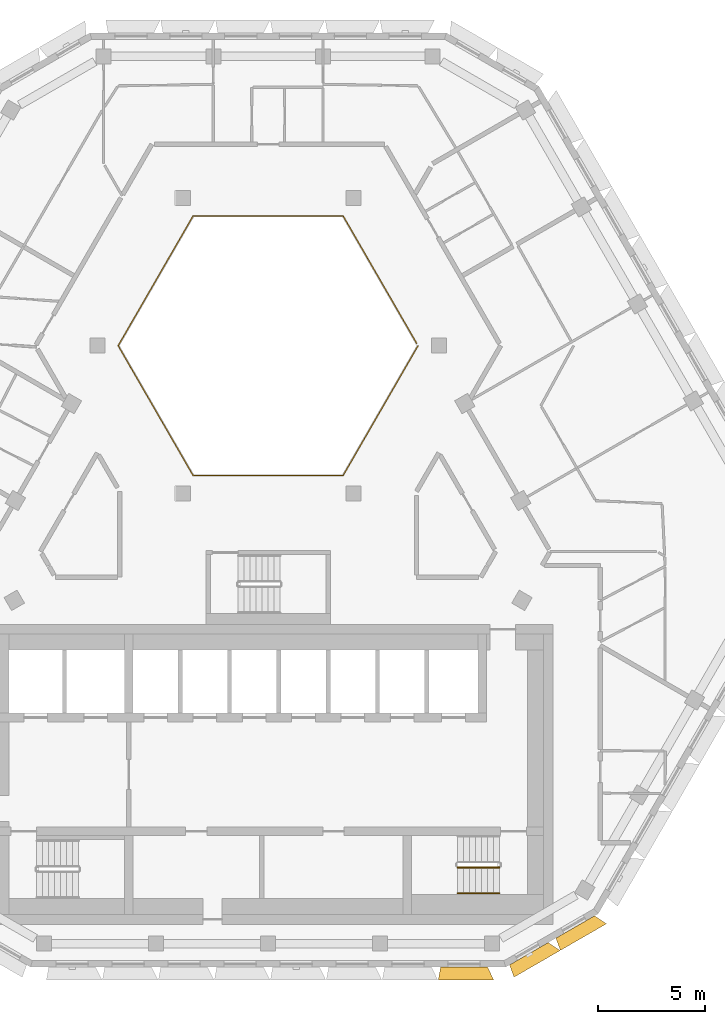
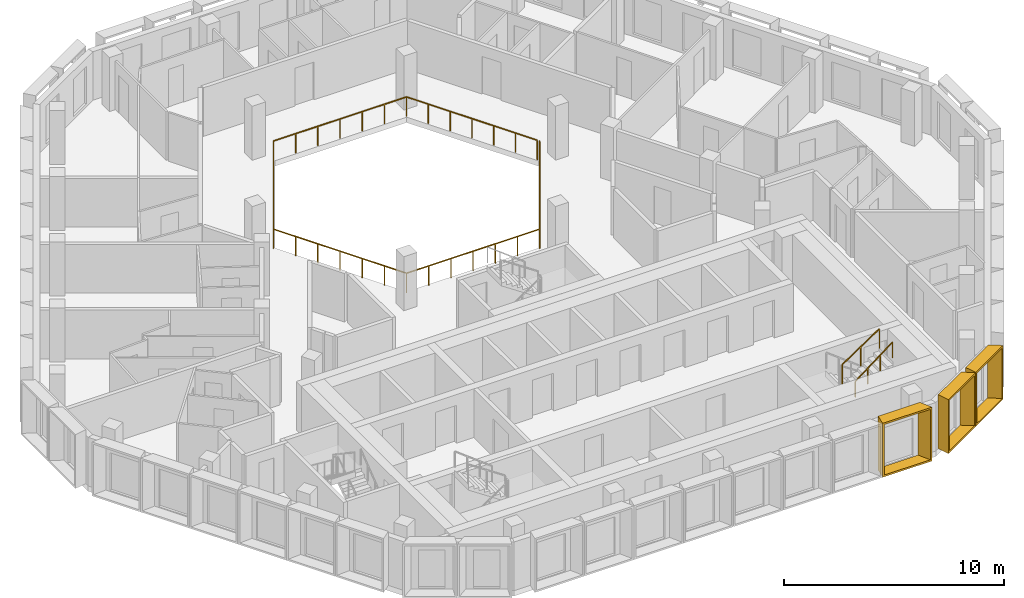
# One storey, part 14 of 16: 3 railings, 3 shading devices.
"""IFC4 building model written with IfcOpenShell, lengths in metres."""

import ifcopenshell
import ifcopenshell.guid

model = None  # the IFC model being written
_history = None  # IfcOwnerHistory: only IFC2X3 demands one
_inside = {}  # id of a spatial element -> (the spatial element, [elements in it])
_under = {}  # id of a project, library or spatial element -> (it, [spatial elements below it])
_declared = {}  # id of a project -> (the project, [libraries it declares])
_typed = {}  # id of a type object -> (the type object, [elements of that type])
_made_of = {}  # id of a material, layer set ... -> (it, [elements and type objects made of it])


def new_model(schema):
    """Start an empty IFC model of exactly this schema.

    Asked for "IFC4X3", IfcOpenShell would pick the latest addendum, in which some entities
    have other attributes; the version numbers below select the first issue.
    IFC2X3 requires an IfcOwnerHistory on every rooted entity: one is made here for all.
    """
    global model, _history
    if schema == "IFC4X3":
        model = ifcopenshell.file(schema_version=(4, 3, 0, 0))
    else:
        model = ifcopenshell.file(schema=schema)
    _inside.clear()
    _under.clear()
    _declared.clear()
    _typed.clear()
    _made_of.clear()
    _history = None
    if model.schema == "IFC2X3":
        org = make("IfcOrganization", Name="unknown")
        user = make(
            "IfcPersonAndOrganization",
            ThePerson=make("IfcPerson", FamilyName="unknown"),
            TheOrganization=org,
        )
        app = make(
            "IfcApplication",
            ApplicationDeveloper=org,
            Version="unknown",
            ApplicationFullName="unknown",
            ApplicationIdentifier="unknown",
        )
        _history = make(
            "IfcOwnerHistory",
            OwningUser=user,
            OwningApplication=app,
            ChangeAction="ADDED",
            CreationDate=0,
        )
    return model


def make(cls, **values):
    """One entity of the class cls with the attributes given. An attribute that is None is left unset."""
    return model.create_entity(
        cls, **{name: value for name, value in values.items() if value is not None}
    )


def entity(cls, *values):
    """Any entity or typed value of the class cls, its attributes in the order of the schema. None: left unset."""
    e = model.create_entity(cls)
    for i, value in enumerate(values):
        if value is not None:
            e[i] = value
    return e


def rooted(cls, **values):
    """An entity with a GlobalId (a new one), such as an element, a storey or a relation."""
    return make(cls, GlobalId=ifcopenshell.guid.new(), OwnerHistory=_history, **values)


def si_unit(unit_type, name, prefix=None):
    """IfcSIUnit, for example si_unit("LENGTHUNIT", "METRE", prefix="MILLI")."""
    return make("IfcSIUnit", UnitType=unit_type, Prefix=prefix, Name=name)


def assignment(units):
    """IfcUnitAssignment: the units of a project."""
    return None if units is None else make("IfcUnitAssignment", Units=units)


def point(xyz):
    """IfcCartesianPoint."""
    return None if xyz is None else make("IfcCartesianPoint", Coordinates=xyz)


def direction(xyz):
    """IfcDirection."""
    return None if xyz is None else make("IfcDirection", DirectionRatios=xyz)


def frame(location, z_axis=None, x_axis=None):
    """IfcAxis2Placement3D, a coordinate frame: its origin and axes. An axis left out is left unset."""
    return make(
        "IfcAxis2Placement3D",
        Location=point(location),
        Axis=direction(z_axis),
        RefDirection=direction(x_axis),
    )


def frame_2d(location, x_axis=None):
    """IfcAxis2Placement2D, a coordinate frame in the plane: its origin and x axis."""
    return make(
        "IfcAxis2Placement2D", Location=point(location), RefDirection=direction(x_axis)
    )


def origin():
    """The frame at (0, 0, 0) with its axes left unset."""
    return frame((0.0, 0.0, 0.0))


def origin_2d():
    """The frame at (0, 0) in the plane with its x axis left unset."""
    return frame_2d((0.0, 0.0))


def place(relative_to, where):
    """IfcLocalPlacement: puts the frame where relative to a parent placement (None: the world)."""
    return make(
        "IfcLocalPlacement", PlacementRelTo=relative_to, RelativePlacement=where
    )


def context(
    kind, dimensions, precision=None, world=None, true_north=None, identifier=None
):
    """IfcGeometricRepresentationContext, for example the 3D "Model" context."""
    return make(
        "IfcGeometricRepresentationContext",
        ContextIdentifier=identifier,
        ContextType=kind,
        CoordinateSpaceDimension=dimensions,
        Precision=precision,
        WorldCoordinateSystem=world,
        TrueNorth=true_north,
    )


def subcontext(parent, identifier, kind, view, scale=None):
    """IfcGeometricRepresentationSubContext, for example "Body" below "Model"."""
    return make(
        "IfcGeometricRepresentationSubContext",
        ContextIdentifier=identifier,
        ContextType=kind,
        ParentContext=parent,
        TargetScale=scale,
        TargetView=view,
    )


def project(units=None, contexts=None):
    """IfcProject with its units and contexts."""
    return rooted(
        "IfcProject",
        Name="project",
        RepresentationContexts=contexts,
        UnitsInContext=assignment(units),
    )


def spatial(cls, under=None, at=None, **own):
    """A site, building, storey or space (cls), placed at a placement, below another one or the project."""
    s = rooted(cls, ObjectPlacement=at, **own)
    if under is not None:
        _under.setdefault(under.id(), (under, []))[1].append(s)
    return s


def profile(cls, at=None, kind="AREA", **sizes):
    """A parametric profile (cls). Its sizes go by their IFC names, for example OverallWidth=200.0."""
    return make(cls, ProfileType=kind, Position=at, **sizes)


def rectangle(**sizes):
    """IfcRectangleProfileDef."""
    return profile("IfcRectangleProfileDef", **sizes)


def extrude(swept, where, along, depth):
    """IfcExtrudedAreaSolid: the profile swept, set in the frame where, extruded along a direction by depth."""
    return make(
        "IfcExtrudedAreaSolid",
        SweptArea=swept,
        Position=where,
        ExtrudedDirection=direction(along),
        Depth=depth,
    )


def shape(context_of_items, identifier, shape_type, items):
    """IfcShapeRepresentation: the items that make up one representation, for example the "Body"."""
    return make(
        "IfcShapeRepresentation",
        ContextOfItems=context_of_items,
        RepresentationIdentifier=identifier,
        RepresentationType=shape_type,
        Items=items,
    )


def source(mapping_origin, context_of_items, identifier, shape_type, items):
    """IfcRepresentationMap: a shape defined once, which mapped items show again and again."""
    return make(
        "IfcRepresentationMap",
        MappingOrigin=mapping_origin,
        MappedRepresentation=shape(context_of_items, identifier, shape_type, items),
    )


def transform(
    local_origin,
    x_axis=None,
    y_axis=None,
    z_axis=None,
    scale=None,
    scale2=None,
    scale3=None,
    uniform=True,
):
    """IfcCartesianTransformationOperator3D, or its non-uniform kind. x_axis, y_axis, z_axis: its Axis1, 2, 3."""
    if uniform:
        return make(
            "IfcCartesianTransformationOperator3D",
            Axis1=direction(x_axis),
            Axis2=direction(y_axis),
            LocalOrigin=point(local_origin),
            Scale=scale,
            Axis3=direction(z_axis),
        )
    return make(
        "IfcCartesianTransformationOperator3DnonUniform",
        Axis1=direction(x_axis),
        Axis2=direction(y_axis),
        LocalOrigin=point(local_origin),
        Scale=scale,
        Axis3=direction(z_axis),
        Scale2=scale2,
        Scale3=scale3,
    )


def mapped(mapping_source, mapping_target):
    """IfcMappedItem: shows the shape of a source again, moved by a transform."""
    return make(
        "IfcMappedItem", MappingSource=mapping_source, MappingTarget=mapping_target
    )


def material(Name=None, Category=None):
    """IfcMaterial."""
    return make("IfcMaterial", Name=Name, Category=Category)


def made_of(thing, what):
    """Note that an element or type object is made of a material, layer set ...; save() writes the relation."""
    if what is not None:
        _made_of.setdefault(what.id(), (what, []))[1].append(thing)
    return thing


def type_object(cls, material=None, **own):
    """A type object (cls), such as IfcWallType, which elements share."""
    return made_of(rooted(cls, **own), material)


def type_shapes(of_type, sources):
    """Give a type object the sources (RepresentationMaps) that its elements show as mapped items."""
    of_type.RepresentationMaps = sources


def element(
    cls,
    number,
    at=None,
    inside=None,
    cuts=None,
    type_object=None,
    material=None,
    context=None,
    identifier="Body",
    shape_type=None,
    held_by="IfcProductDefinitionShape",
    body=None,
    shapes=None,
    **own,
):
    """One element of the class cls, such as IfcWall. Its Tag is "e" and its number.

    at: its placement. inside: the storey or other place that contains it. cuts: it is an
    opening in that element (IfcRelVoidsElement). A single representation is given by context,
    identifier, shape_type and body (its items); several are given by shapes. held_by: the class
    of the entity that holds the representations. save() writes the other relations.
    """
    e = rooted(cls, Tag="e%d" % number, ObjectPlacement=at, **own)
    if body is not None:
        shapes = [shape(context, identifier, shape_type, body)]
    if shapes is not None:
        e.Representation = make(held_by, Representations=shapes)
    if inside is not None:
        _inside.setdefault(inside.id(), (inside, []))[1].append(e)
    if cuts is not None:
        rooted(
            "IfcRelVoidsElement", RelatingBuildingElement=cuts, RelatedOpeningElement=e
        )
    if type_object is not None:
        _typed.setdefault(type_object.id(), (type_object, []))[1].append(e)
    return made_of(e, material)


def aggregate(whole, parts):
    """IfcRelAggregates: a whole, such as a stair, and the parts it consists of."""
    return rooted("IfcRelAggregates", RelatingObject=whole, RelatedObjects=parts)


def save(model, path):
    """Write the relations noted so far, then the file.

    IfcRelAggregates (storeys below a building ...), IfcRelContainedInSpatialStructure (elements
    in a storey), IfcRelDefinesByType, IfcRelAssociatesMaterial and IfcRelDeclares: one each for
    every whole, place, type object, material and project.
    """
    for whole, parts in _under.values():
        aggregate(whole, parts)
    for where, things in _inside.values():
        rooted(
            "IfcRelContainedInSpatialStructure",
            RelatedElements=things,
            RelatingStructure=where,
        )
    for kind, things in _typed.values():
        rooted("IfcRelDefinesByType", RelatedObjects=things, RelatingType=kind)
    for what, things in _made_of.values():
        rooted("IfcRelAssociatesMaterial", RelatedObjects=things, RelatingMaterial=what)
    for by, libraries in _declared.values():
        rooted("IfcRelDeclares", RelatingContext=by, RelatedDefinitions=libraries)
    model.write(path)


model = new_model("IFC4")

# Units and contexts
model_context = context("Model", 3, precision=1e-05, world=origin(), true_north=direction((0.0, 1.0)))
body_context = subcontext(model_context, "Body", "Model", "MODEL_VIEW")
ifc_project = project(units=[si_unit("LENGTHUNIT", "METRE"), si_unit("AREAUNIT", "SQUARE_METRE"), si_unit("VOLUMEUNIT", "CUBIC_METRE"), si_unit("PLANEANGLEUNIT", "RADIAN"), si_unit("MASSUNIT", "GRAM", prefix="KILO")], contexts=[model_context])

# Site, building, storey
site_placement = place(None, origin())
site = spatial("IfcSite", under=ifc_project, at=site_placement, CompositionType="ELEMENT")
building_placement = place(site_placement, origin())
building = spatial("IfcBuilding", under=site, at=building_placement, Name="Beryl Residences", CompositionType="ELEMENT")
storey_placement = place(building_placement, frame((0.0, 0.0, 208.800048828125)))
storey = spatial("IfcBuildingStorey", under=building, at=storey_placement, Name="L64", CompositionType="ELEMENT", Elevation=208.800048828125)

# Railing
ifc_material_1 = material(Name="Stainless steel balustrade with glass infill", Category="steel")
railing_type_1 = type_object("IfcRailingType", Name="EG1 edge guard 1100 mm", PredefinedType="GUARDRAIL", material=ifc_material_1)
railing_1_placement = place(storey_placement, frame((6.9970703125, 8.0, 0.0)))
element("IfcRailing", 1, at=railing_1_placement, inside=storey, type_object=railing_type_1, Name="L64 atrium guard", PredefinedType="GUARDRAIL", context=body_context, shape_type="SweptSolid", body=[
    extrude(rectangle(XDim=0.048095703125, YDim=0.048095703125, at=origin_2d()), frame((0.0, 0.0, 1.076171875), z_axis=(-0.499921796684, -0.866070549782, 0.0), x_axis=(0.866070549782, -0.499921796684, 0.0)), (0.0, 0.0, 1.0), 6.9970703125),
    extrude(rectangle(XDim=0.048095703125, YDim=0.048095703125, at=origin_2d()), frame((-3.498046875, -6.06005859375, 1.076171875), z_axis=(-1.0, 0.0, 0.0), x_axis=(0.0, -1.0, 0.0)), (0.0, 0.0, 1.0), 6.998046875),
    extrude(rectangle(XDim=0.048095703125, YDim=0.048095703125, at=origin_2d()), frame((-10.49609375, -6.06005859375, 1.076171875), z_axis=(-0.499921796684, 0.866070549782, 0.0), x_axis=(-0.866070549782, -0.499921796684, 0.0)), (0.0, 0.0, 1.0), 6.9970703125),
    extrude(rectangle(XDim=0.048095703125, YDim=0.048095703125, at=origin_2d()), frame((-13.994140625, 0.0, 1.076171875), z_axis=(0.499921796684, 0.866070549782, 0.0), x_axis=(-0.866070549782, 0.499921796684, 0.0)), (0.0, 0.0, 1.0), 6.9970703125),
    extrude(rectangle(XDim=0.048095703125, YDim=0.048095703125, at=origin_2d()), frame((-10.49609375, 6.06005859375, 1.076171875), z_axis=(1.0, 0.0, 0.0), x_axis=(0.0, 1.0, 0.0)), (0.0, 0.0, 1.0), 6.998046875),
    extrude(rectangle(XDim=0.048095703125, YDim=0.048095703125, at=origin_2d()), frame((-3.498046875, 6.06005859375, 1.076171875), z_axis=(0.499919131929, -0.866072087953, 0.0), x_axis=(0.866072087953, 0.499919131929, 0.0)), (0.0, 0.0, 1.0), 6.877197265625),
    extrude(rectangle(XDim=0.0419921875, YDim=0.0419921875, at=origin_2d()), origin(), (0.0, 0.0, 1.0), 1.052001953125),
    extrude(rectangle(XDim=0.0419921875, YDim=0.0419921875, at=origin_2d()), frame((-0.5830078125, -1.010009765625, 0.0)), (0.0, 0.0, 1.0), 1.052001953125),
    extrude(rectangle(XDim=0.0419921875, YDim=0.0419921875, at=origin_2d()), frame((-1.166015625, -2.02001953125, 0.0)), (0.0, 0.0, 1.0), 1.052001953125),
    extrude(rectangle(XDim=0.0419921875, YDim=0.0419921875, at=origin_2d()), frame((-1.7490234375, -3.030029296875, 0.0)), (0.0, 0.0, 1.0), 1.052001953125),
    extrude(rectangle(XDim=0.0419921875, YDim=0.0419921875, at=origin_2d()), frame((-2.33203125, -4.0400390625, 0.0)), (0.0, 0.0, 1.0), 1.052001953125),
    extrude(rectangle(XDim=0.0419921875, YDim=0.0419921875, at=origin_2d()), frame((-2.9150390625, -5.050048828125, 0.0)), (0.0, 0.0, 1.0), 1.052001953125),
    extrude(rectangle(XDim=0.0419921875, YDim=0.0419921875, at=origin_2d()), frame((-3.498046875, -6.06005859375, 0.0)), (0.0, 0.0, 1.0), 1.052001953125),
    extrude(rectangle(XDim=0.0419921875, YDim=0.0419921875, at=origin_2d()), frame((-4.664306640625, -6.06005859375, 0.0)), (0.0, 0.0, 1.0), 1.052001953125),
    extrude(rectangle(XDim=0.0419921875, YDim=0.0419921875, at=origin_2d()), frame((-5.830810546875, -6.06005859375, 0.0)), (0.0, 0.0, 1.0), 1.052001953125),
    extrude(rectangle(XDim=0.0419921875, YDim=0.0419921875, at=origin_2d()), frame((-6.9970703125, -6.06005859375, 0.0)), (0.0, 0.0, 1.0), 1.052001953125),
    extrude(rectangle(XDim=0.0419921875, YDim=0.0419921875, at=origin_2d()), frame((-8.163330078125, -6.06005859375, 0.0)), (0.0, 0.0, 1.0), 1.052001953125),
    extrude(rectangle(XDim=0.0419921875, YDim=0.0419921875, at=origin_2d()), frame((-9.329833984375, -6.06005859375, 0.0)), (0.0, 0.0, 1.0), 1.052001953125),
    extrude(rectangle(XDim=0.0419921875, YDim=0.0419921875, at=origin_2d()), frame((-10.49609375, -6.06005859375, 0.0)), (0.0, 0.0, 1.0), 1.052001953125),
    extrude(rectangle(XDim=0.0419921875, YDim=0.0419921875, at=origin_2d()), frame((-11.0791015625, -5.050048828125, 0.0)), (0.0, 0.0, 1.0), 1.052001953125),
    extrude(rectangle(XDim=0.0419921875, YDim=0.0419921875, at=origin_2d()), frame((-11.662109375, -4.0400390625, 0.0)), (0.0, 0.0, 1.0), 1.052001953125),
    extrude(rectangle(XDim=0.0419921875, YDim=0.0419921875, at=origin_2d()), frame((-12.2451171875, -3.030029296875, 0.0)), (0.0, 0.0, 1.0), 1.052001953125),
    extrude(rectangle(XDim=0.0419921875, YDim=0.0419921875, at=origin_2d()), frame((-12.828125, -2.02001953125, 0.0)), (0.0, 0.0, 1.0), 1.052001953125),
    extrude(rectangle(XDim=0.0419921875, YDim=0.0419921875, at=origin_2d()), frame((-13.4111328125, -1.010009765625, 0.0)), (0.0, 0.0, 1.0), 1.052001953125),
    extrude(rectangle(XDim=0.0419921875, YDim=0.0419921875, at=origin_2d()), frame((-13.994140625, 0.0, 0.0)), (0.0, 0.0, 1.0), 1.052001953125),
    extrude(rectangle(XDim=0.0419921875, YDim=0.0419921875, at=origin_2d()), frame((-13.4111328125, 1.010009765625, 0.0)), (0.0, 0.0, 1.0), 1.052001953125),
    extrude(rectangle(XDim=0.0419921875, YDim=0.0419921875, at=origin_2d()), frame((-12.828125, 2.02001953125, 0.0)), (0.0, 0.0, 1.0), 1.052001953125),
    extrude(rectangle(XDim=0.0419921875, YDim=0.0419921875, at=origin_2d()), frame((-12.2451171875, 3.030029296875, 0.0)), (0.0, 0.0, 1.0), 1.052001953125),
    extrude(rectangle(XDim=0.0419921875, YDim=0.0419921875, at=origin_2d()), frame((-11.662109375, 4.0400390625, 0.0)), (0.0, 0.0, 1.0), 1.052001953125),
    extrude(rectangle(XDim=0.0419921875, YDim=0.0419921875, at=origin_2d()), frame((-11.0791015625, 5.050048828125, 0.0)), (0.0, 0.0, 1.0), 1.052001953125),
    extrude(rectangle(XDim=0.0419921875, YDim=0.0419921875, at=origin_2d()), frame((-10.49609375, 6.06005859375, 0.0)), (0.0, 0.0, 1.0), 1.052001953125),
    extrude(rectangle(XDim=0.0419921875, YDim=0.0419921875, at=origin_2d()), frame((-9.329833984375, 6.06005859375, 0.0)), (0.0, 0.0, 1.0), 1.052001953125),
    extrude(rectangle(XDim=0.0419921875, YDim=0.0419921875, at=origin_2d()), frame((-8.163330078125, 6.06005859375, 0.0)), (0.0, 0.0, 1.0), 1.052001953125),
    extrude(rectangle(XDim=0.0419921875, YDim=0.0419921875, at=origin_2d()), frame((-6.9970703125, 6.06005859375, 0.0)), (0.0, 0.0, 1.0), 1.052001953125),
    extrude(rectangle(XDim=0.0419921875, YDim=0.0419921875, at=origin_2d()), frame((-5.830810546875, 6.06005859375, 0.0)), (0.0, 0.0, 1.0), 1.052001953125),
    extrude(rectangle(XDim=0.0419921875, YDim=0.0419921875, at=origin_2d()), frame((-4.664306640625, 6.06005859375, 0.0)), (0.0, 0.0, 1.0), 1.052001953125),
    extrude(rectangle(XDim=0.0419921875, YDim=0.0419921875, at=origin_2d()), frame((-3.498046875, 6.06005859375, 0.0)), (0.0, 0.0, 1.0), 1.052001953125),
    extrude(rectangle(XDim=0.0419921875, YDim=0.0419921875, at=origin_2d()), frame((-2.925048828125, 5.0673828125, 0.0)), (0.0, 0.0, 1.0), 1.052001953125),
    extrude(rectangle(XDim=0.0419921875, YDim=0.0419921875, at=origin_2d()), frame((-2.35205078125, 4.07470703125, 0.0)), (0.0, 0.0, 1.0), 1.052001953125),
    extrude(rectangle(XDim=0.0419921875, YDim=0.0419921875, at=origin_2d()), frame((-1.779052734375, 3.08203125, 0.0)), (0.0, 0.0, 1.0), 1.052001953125),
    extrude(rectangle(XDim=0.0419921875, YDim=0.0419921875, at=origin_2d()), frame((-1.2060546875, 2.08935546875, 0.0)), (0.0, 0.0, 1.0), 1.052001953125),
    extrude(rectangle(XDim=0.0419921875, YDim=0.0419921875, at=origin_2d()), frame((-0.633056640625, 1.0966796875, 0.0)), (0.0, 0.0, 1.0), 1.052001953125),
    extrude(rectangle(XDim=0.0419921875, YDim=0.0419921875, at=origin_2d()), frame((-0.06005859375, 0.10400390625, 0.0)), (0.0, 0.0, 1.0), 1.052001953125),
])

# Shading devices
ifc_material_2 = material(Name="Aluminium pale anodised", Category="aluminium")
shading_device_type_1 = type_object("IfcShadingDeviceType", Name="FR250-60C OUTER SKIN frame 600 mm deep, splay 10/26 deg, 2500 x 3000 mm cell", PredefinedType="USERDEFINED", material=ifc_material_2)
cartesian_point_1 = entity("IfcCartesianPoint", [-1.04052734375, 0.0])
cartesian_point_2 = entity("IfcCartesianPoint", [-0.959228515625, 0.10009765625])
cartesian_point_3 = entity("IfcCartesianPoint", [-1.146240234375, 0.0])
cartesian_point_4 = entity("IfcCartesianPoint", [-1.06494140625, 0.10009765625])
shared_shape_1 = source(origin(), body_context, "Body", "SweptSolid", [
    entity("IfcExtrudedAreaSolidTapered", entity("IfcArbitraryProfileDefWithVoids", "AREA", None, entity("IfcPolyline", [cartesian_point_1, entity("IfcCartesianPoint", [1.04052734375, 0.0]), entity("IfcCartesianPoint", [1.04052734375, 3.0]), entity("IfcCartesianPoint", [-1.04052734375, 3.0]), cartesian_point_1]), [entity("IfcPolyline", [cartesian_point_2, entity("IfcCartesianPoint", [0.951416015625, 0.10009765625]), entity("IfcCartesianPoint", [0.951416015625, 2.89990234375]), entity("IfcCartesianPoint", [-0.959228515625, 2.89990234375]), cartesian_point_2])]), entity("IfcAxis2Placement3D", entity("IfcCartesianPoint", [0.0, 0.0, 0.0]), entity("IfcDirection", [0.0, 1.0, 0.0]), entity("IfcDirection", [-1.0, 0.0, 0.0])), entity("IfcDirection", [0.0, 0.0, 1.0]), 0.60009765625, entity("IfcArbitraryProfileDefWithVoids", "AREA", None, entity("IfcPolyline", [cartesian_point_3, entity("IfcCartesianPoint", [1.333251953125, 0.0]), entity("IfcCartesianPoint", [1.333251953125, 3.0]), entity("IfcCartesianPoint", [-1.146240234375, 3.0]), cartesian_point_3]), [entity("IfcPolyline", [cartesian_point_4, entity("IfcCartesianPoint", [1.244140625, 0.10009765625]), entity("IfcCartesianPoint", [1.244140625, 2.89990234375]), entity("IfcCartesianPoint", [-1.06494140625, 2.89990234375]), cartesian_point_4])])),
])
type_shapes(shading_device_type_1, [shared_shape_1])
for number, where, z_axis, x_axis, name in (
    (2, (12.16796875, -20.375, 0.0), (0.0, 0.0, 1.0), (-0.866025403784, -0.5, 0.0), "FR250-60C frame L64 S-SE 1"),
    (3, (14.33203125, -19.125, 0.0), (0.0, 0.0, 1.0), (-0.866025403784, -0.5, 0.0), "FR250-60C frame L64 S-SE 2"),
):
    element("IfcShadingDevice", number, at=place(storey_placement, frame(where, z_axis=z_axis, x_axis=x_axis)), inside=storey, type_object=shading_device_type_1, Name=name, ObjectType="OUTER SKIN", PredefinedType="USERDEFINED", context=body_context, shape_type="MappedRepresentation", body=[
        mapped(shared_shape_1, transform((0.0, 0.0, 0.0))),
    ])
ifc_material_3 = material(Name="Aluminium pale anodised", Category="aluminium")
shading_device_type_2 = type_object("IfcShadingDeviceType", Name="FR261-60C OUTER SKIN frame 600 mm deep, splay 10/26 deg, 2610 x 3000 mm cell", PredefinedType="USERDEFINED", material=ifc_material_3)
cartesian_point_5 = entity("IfcCartesianPoint", [-1.095458984375, 0.0])
cartesian_point_6 = entity("IfcCartesianPoint", [-1.01416015625, 0.10009765625])
cartesian_point_7 = entity("IfcCartesianPoint", [-1.201416015625, 0.0])
cartesian_point_8 = entity("IfcCartesianPoint", [-1.1201171875, 0.10009765625])
shared_shape_2 = source(origin(), body_context, "Body", "SweptSolid", [
    entity("IfcExtrudedAreaSolidTapered", entity("IfcArbitraryProfileDefWithVoids", "AREA", None, entity("IfcPolyline", [cartesian_point_5, entity("IfcCartesianPoint", [1.095458984375, 0.0]), entity("IfcCartesianPoint", [1.095458984375, 3.0]), entity("IfcCartesianPoint", [-1.095458984375, 3.0]), cartesian_point_5]), [entity("IfcPolyline", [cartesian_point_6, entity("IfcCartesianPoint", [1.006591796875, 0.10009765625]), entity("IfcCartesianPoint", [1.006591796875, 2.89990234375]), entity("IfcCartesianPoint", [-1.01416015625, 2.89990234375]), cartesian_point_6])]), entity("IfcAxis2Placement3D", entity("IfcCartesianPoint", [0.0, 0.0, 0.0]), entity("IfcDirection", [0.0, 1.0, 0.0]), entity("IfcDirection", [-1.0, 0.0, 0.0])), entity("IfcDirection", [0.0, 0.0, 1.0]), 0.60009765625, entity("IfcArbitraryProfileDefWithVoids", "AREA", None, entity("IfcPolyline", [cartesian_point_7, entity("IfcCartesianPoint", [1.38818359375, 0.0]), entity("IfcCartesianPoint", [1.38818359375, 3.0]), entity("IfcCartesianPoint", [-1.201416015625, 3.0]), cartesian_point_7]), [entity("IfcPolyline", [cartesian_point_8, entity("IfcCartesianPoint", [1.299072265625, 0.10009765625]), entity("IfcCartesianPoint", [1.299072265625, 2.89990234375]), entity("IfcCartesianPoint", [-1.1201171875, 2.89990234375]), cartesian_point_8])])),
])
type_shapes(shading_device_type_2, [shared_shape_2])
shading_device_placement = place(storey_placement, frame((9.14404296875, -21.0, 0.0), z_axis=(0.0, 0.0, 1.0), x_axis=(-1.0, 0.0, 0.0)))
element("IfcShadingDevice", 4, at=shading_device_placement, inside=storey, type_object=shading_device_type_2, Name="FR261-60C frame L64 S 8", ObjectType="OUTER SKIN", PredefinedType="USERDEFINED", context=body_context, shape_type="MappedRepresentation", body=[
    mapped(shared_shape_2, transform((0.0, 0.0, 0.0))),
])

# Railings
ifc_material_4 = material(Name="Stainless steel balustrade with glass infill", Category="steel")
railing_type_2 = type_object("IfcRailingType", Name="SG1 stair guard 1100 mm", PredefinedType="GUARDRAIL", material=ifc_material_4)
railing_2_placement = place(storey_placement, frame((8.840087890625, -16.35009765625, 1.6875)))
element("IfcRailing", 5, at=railing_2_placement, inside=storey, type_object=railing_type_2, Name="L64 ST-3 stair guard 3", PredefinedType="GUARDRAIL", context=body_context, shape_type="SweptSolid", body=[
    extrude(rectangle(XDim=0.048095703125, YDim=0.048095703125, at=origin_2d()), frame((0.0, 0.0, 1.076171875), z_axis=(0.830902050051, 0.0, 0.556418712142), x_axis=(0.0, 1.0, 0.0)), (0.0, 0.0, 1.0), 2.35888671875),
    extrude(rectangle(XDim=0.0419921875, YDim=0.0419921875, at=origin_2d()), origin(), (0.0, 0.0, 1.0), 1.052001953125),
    extrude(rectangle(XDim=0.0419921875, YDim=0.0419921875, at=origin_2d()), frame((0.97998046875, 0.0, 0.65625)), (0.0, 0.0, 1.0), 1.052001953125),
    extrude(rectangle(XDim=0.0419921875, YDim=0.0419921875, at=origin_2d()), frame((1.9599609375, 0.0, 1.3125)), (0.0, 0.0, 1.0), 1.052001953125),
])
ifc_material_5 = material(Name="Stainless steel handrail", Category="steel")
railing_type_3 = type_object("IfcRailingType", Name="SRL1 stair handrail 900 mm", PredefinedType="HANDRAIL", material=ifc_material_5)
railing_3_placement = place(storey_placement, frame((8.840087890625, -17.550048828125, 1.6875)))
element("IfcRailing", 6, at=railing_3_placement, inside=storey, type_object=railing_type_3, Name="L64 ST-3 stair handrail 2", PredefinedType="HANDRAIL", context=body_context, shape_type="SweptSolid", body=[
    extrude(rectangle(XDim=0.048095703125, YDim=0.048095703125, at=origin_2d()), frame((0.0, 0.0, 0.8759765625), z_axis=(0.794121922505, 0.0, 0.607758481798), x_axis=(0.0, 1.0, 0.0)), (0.0, 0.0, 1.0), 2.468017578125),
    extrude(rectangle(XDim=0.0419921875, YDim=0.0419921875, at=origin_2d()), origin(), (0.0, 0.0, 1.0), 0.851806640625),
    extrude(rectangle(XDim=0.0419921875, YDim=0.0419921875, at=origin_2d()), frame((0.6533203125, 0.0, 0.5)), (0.0, 0.0, 1.0), 0.851806640625),
    extrude(rectangle(XDim=0.0419921875, YDim=0.0419921875, at=origin_2d()), frame((1.306640625, 0.0, 1.0)), (0.0, 0.0, 1.0), 0.851806640625),
    extrude(rectangle(XDim=0.0419921875, YDim=0.0419921875, at=origin_2d()), frame((1.9599609375, 0.0, 1.5)), (0.0, 0.0, 1.0), 0.851806640625),
])

save(model, "model.ifc")
